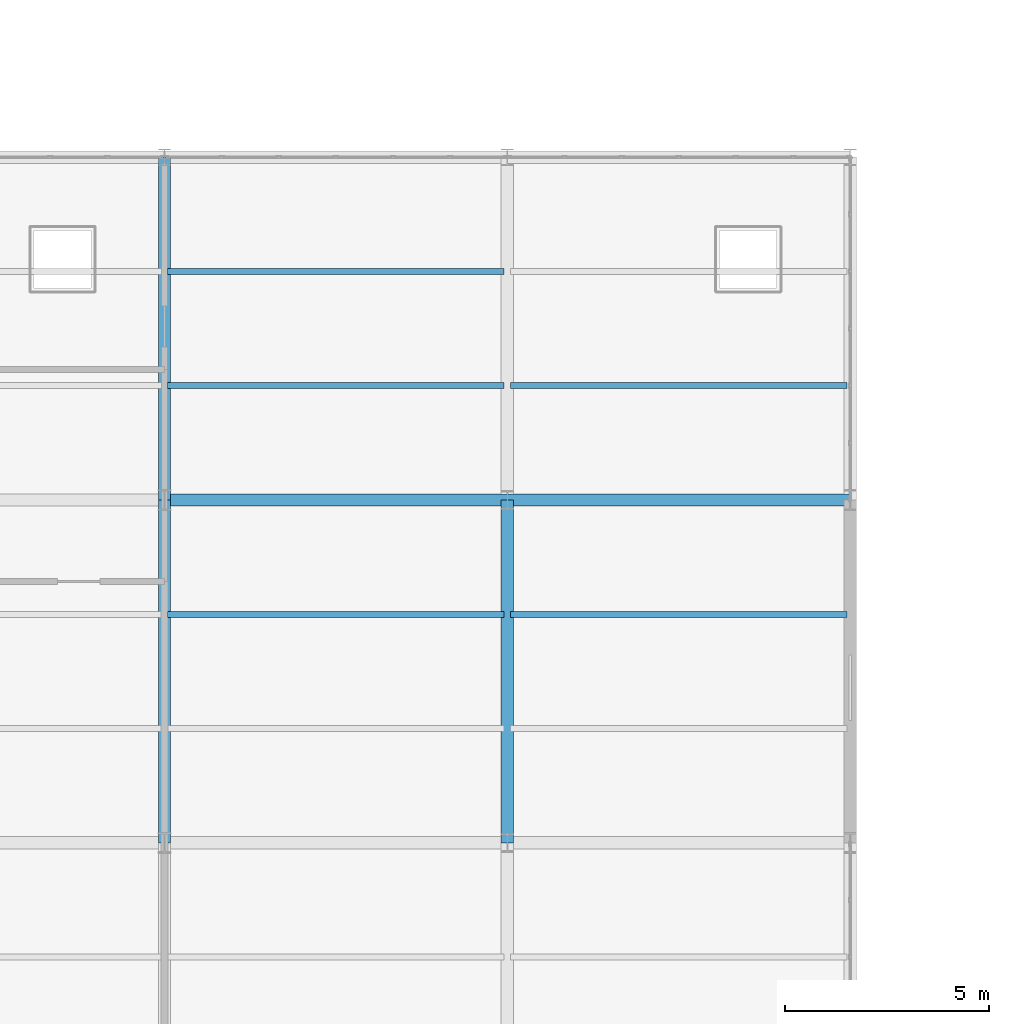
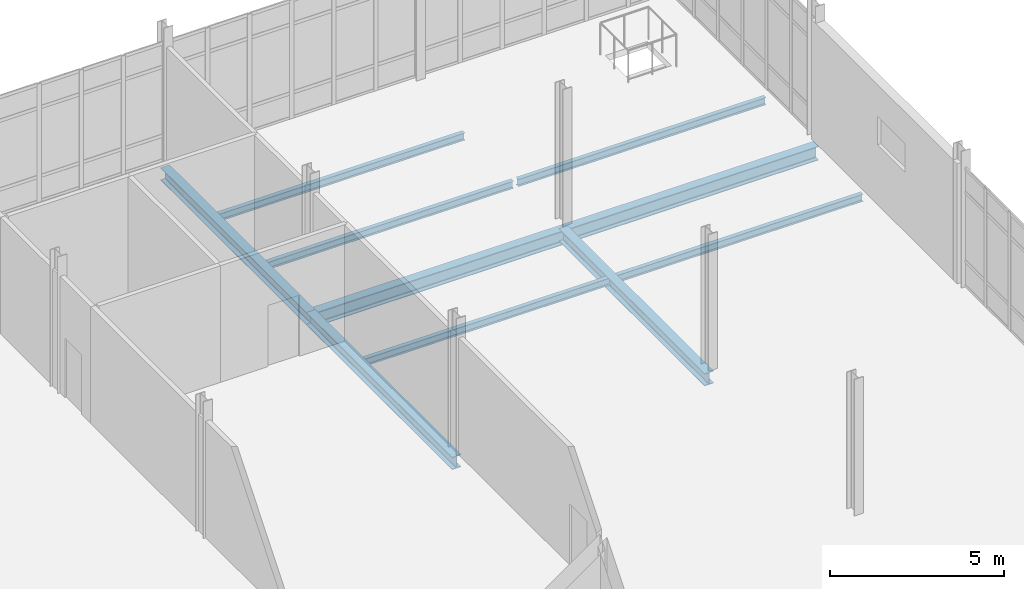
# One storey, part 65 of 145: 10 beams.
"""IFC4 building model written with IfcOpenShell, lengths in metres."""

from ifc_helpers import new_model, si_unit, direction, frame, origin, origin_2d, place, context, subcontext, project, spatial, i_section, extrude, material, material_profile, profile_set, type_object, element, save


model = new_model("IFC4")

# Units and contexts
model_context = context("Model", 3, precision=1e-05, world=origin(), true_north=direction((0.0, 1.0)))
body_context = subcontext(model_context, "Body", "Model", "MODEL_VIEW")
ifc_project = project(units=[si_unit("LENGTHUNIT", "METRE"), si_unit("AREAUNIT", "SQUARE_METRE"), si_unit("VOLUMEUNIT", "CUBIC_METRE"), si_unit("PLANEANGLEUNIT", "RADIAN"), si_unit("MASSUNIT", "GRAM", prefix="KILO")], contexts=[model_context])

# Site, building, storey
site_placement = place(None, origin())
site = spatial("IfcSite", under=ifc_project, at=site_placement, CompositionType="ELEMENT")
building_placement = place(site_placement, origin())
building = spatial("IfcBuilding", under=site, at=building_placement, Name="Qalvenar Corner Mobility Hub", CompositionType="ELEMENT")
storey_placement = place(building_placement, origin())
storey = spatial("IfcBuildingStorey", under=building, at=storey_placement, Name="L00", CompositionType="ELEMENT", Elevation=0.0)

# Beams
ifc_material = material(Name="Steel S355", Category="steel")
ifc_material_profile_1 = material_profile(ifc_material, i_section(OverallWidth=0.300048828125, OverallDepth=0.43994140625, WebThickness=0.011474609375, FlangeThickness=0.02099609375, FilletRadius=0.027099609375, at=origin_2d()), Name="HEA450")
ifc_profile_set_1 = profile_set([ifc_material_profile_1], Name="Steel S355")
beam_type_1 = type_object("IfcBeamType", Name="BM-HEA450", PredefinedType="BEAM", material=ifc_profile_set_1)
for number, where, z_axis, x_axis, name in (
    (1, (16.800048828125, 75.60009765625, -0.43994140625), (0.0, 1.0, 0.0), (-1.0, 0.0, 0.0), "Primary Steel Girder GY-0463"),
    (2, (16.800048828125, 84.0, -0.43994140625), (0.0, 1.0, 0.0), (-1.0, 0.0, 0.0), "Primary Steel Girder GY-0464"),
    (3, (25.199951171875, 75.60009765625, -0.43994140625), (0.0, 1.0, 0.0), (-1.0, 0.0, 0.0), "Primary Steel Girder GY-0469"),
):
    element("IfcBeam", number, at=place(storey_placement, frame(where, z_axis=z_axis, x_axis=x_axis)), inside=storey, type_object=beam_type_1, Name=name, PredefinedType="BEAM", context=body_context, shape_type="SweptSolid", body=[
        extrude(i_section(OverallWidth=0.300048828125, OverallDepth=0.43994140625, WebThickness=0.011474609375, FlangeThickness=0.02099609375, FilletRadius=0.027099609375, at=origin_2d()), origin(), (0.0, 0.0, 1.0), 8.39990234375),
    ])
ifc_material_profile_2 = material_profile(ifc_material, i_section(OverallWidth=0.300048828125, OverallDepth=0.489990234375, WebThickness=0.011962890625, FlangeThickness=0.02294921875, FilletRadius=0.027099609375, at=origin_2d()), Name="HEA500")
ifc_profile_set_2 = profile_set([ifc_material_profile_2], Name="Steel S355")
beam_type_2 = type_object("IfcBeamType", Name="BM-HEA500", PredefinedType="BEAM", material=ifc_profile_set_2)
beam_1_placement = place(storey_placement, frame((16.800048828125, 84.0, -0.465087890625), z_axis=(1.0, 0.0, 0.0), x_axis=(0.0, 1.0, 0.0)))
element("IfcBeam", 4, at=beam_1_placement, inside=storey, type_object=beam_type_2, Name="Primary Steel Girder GX-0441", PredefinedType="BEAM", context=body_context, shape_type="SweptSolid", body=[
    extrude(i_section(OverallWidth=0.300048828125, OverallDepth=0.489990234375, WebThickness=0.011962890625, FlangeThickness=0.02294921875, FilletRadius=0.027099609375, at=origin_2d()), origin(), (0.0, 0.0, 1.0), 8.39990234375),
])
beam_2_placement = place(storey_placement, frame((25.199951171875, 84.0, -0.465087890625), z_axis=(1.0, 0.0, 0.0), x_axis=(0.0, 1.0, 0.0)))
element("IfcBeam", 5, at=beam_2_placement, inside=storey, type_object=beam_type_2, Name="Primary Steel Girder GX-0442", PredefinedType="BEAM", context=body_context, shape_type="SweptSolid", body=[
    extrude(i_section(OverallWidth=0.300048828125, OverallDepth=0.489990234375, WebThickness=0.011962890625, FlangeThickness=0.02294921875, FilletRadius=0.027099609375, at=origin_2d()), origin(), (0.0, 0.0, 1.0), 8.400146484375),
])
ifc_material_profile_3 = material_profile(ifc_material, i_section(OverallWidth=0.14599609375, OverallDepth=0.258056640625, WebThickness=0.006103515625, FlangeThickness=0.009033203125, FilletRadius=0.011962890625, at=origin_2d()), Name="W250x32.7")
ifc_profile_set_3 = profile_set([ifc_material_profile_3], Name="Steel S355")
beam_type_3 = type_object("IfcBeamType", Name="BM-JST250", PredefinedType="JOIST", material=ifc_profile_set_3)
for number, where, z_axis, x_axis, name in (
    (6, (16.8779296875, 81.199951171875, -0.34912109375), (1.0, 0.0, 0.0), (0.0, 1.0, 0.0), "Composite Floor Joist J-0508"),
    (7, (16.8779296875, 86.800048828125, -0.34912109375), (1.0, 0.0, 0.0), (0.0, 1.0, 0.0), "Composite Floor Joist J-0509"),
    (8, (16.8779296875, 89.60009765625, -0.34912109375), (1.0, 0.0, 0.0), (0.0, 1.0, 0.0), "Composite Floor Joist J-0510"),
):
    element("IfcBeam", number, at=place(storey_placement, frame(where, z_axis=z_axis, x_axis=x_axis)), inside=storey, type_object=beam_type_3, Name=name, PredefinedType="JOIST", context=body_context, shape_type="SweptSolid", body=[
        extrude(i_section(OverallWidth=0.14599609375, OverallDepth=0.258056640625, WebThickness=0.006103515625, FlangeThickness=0.009033203125, FilletRadius=0.011962890625, at=origin_2d()), origin(), (0.0, 0.0, 1.0), 8.244140625),
    ])
for number, where, z_axis, x_axis, name in (
    (9, (25.278076171875, 81.199951171875, -0.34912109375), (1.0, 0.0, 0.0), (0.0, 1.0, 0.0), "Composite Floor Joist J-0520"),
    (10, (25.278076171875, 86.800048828125, -0.34912109375), (1.0, 0.0, 0.0), (0.0, 1.0, 0.0), "Composite Floor Joist J-0521"),
):
    element("IfcBeam", number, at=place(storey_placement, frame(where, z_axis=z_axis, x_axis=x_axis)), inside=storey, type_object=beam_type_3, Name=name, PredefinedType="JOIST", context=body_context, shape_type="SweptSolid", body=[
        extrude(i_section(OverallWidth=0.14599609375, OverallDepth=0.258056640625, WebThickness=0.006103515625, FlangeThickness=0.009033203125, FilletRadius=0.011962890625, at=origin_2d()), origin(), (0.0, 0.0, 1.0), 8.243896484375),
    ])

save(model, "model.ifc")
